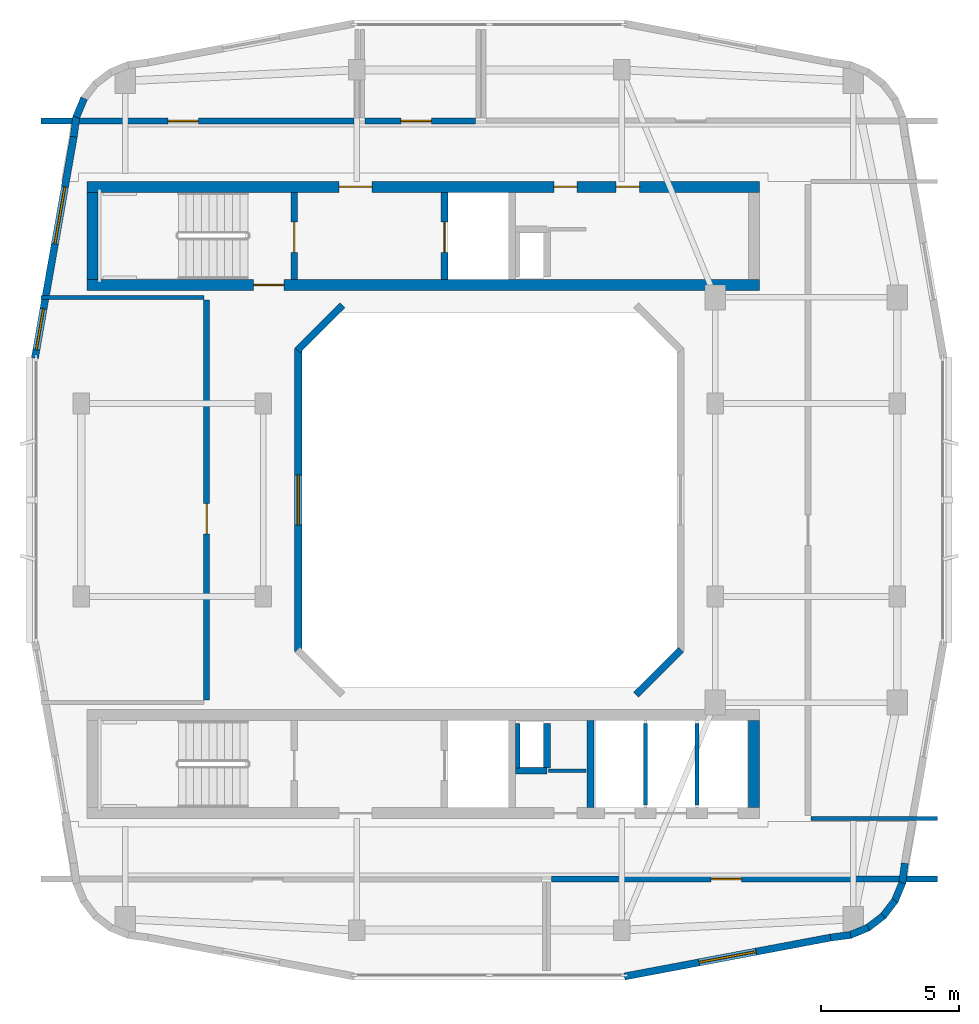
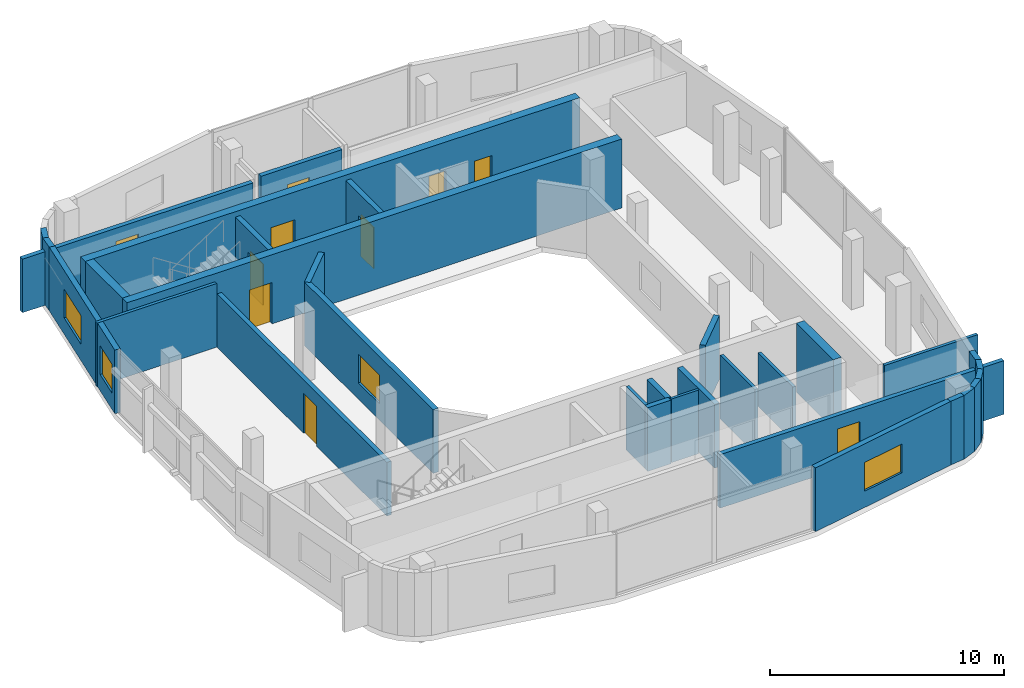
# One storey, part 4 of 8: 32 walls, 10 doors, 4 windows, 14 openings.
"""IFC4 building model written with IfcOpenShell, lengths in metres."""

from ifc_helpers import new_model, si_unit, derived_unit, direction, frame, frame_2d, origin, place, context, subcontext, project, spatial, rectangle, extrude, material, layer, layer_set, type_object, element, fill, save


model = new_model("IFC4")

# Units and contexts
model_context = context("Model", 3, precision=1e-05, world=origin(), true_north=direction((0.0, 1.0)))
body_context = subcontext(model_context, "Body", "Model", "MODEL_VIEW")
ifc_project = project(units=[si_unit("LENGTHUNIT", "METRE"), si_unit("AREAUNIT", "SQUARE_METRE"), si_unit("VOLUMEUNIT", "CUBIC_METRE"), si_unit("PLANEANGLEUNIT", "RADIAN"), si_unit("MASSUNIT", "GRAM", prefix="KILO"), derived_unit("THERMALTRANSMITTANCEUNIT", [(si_unit("POWERUNIT", "WATT"), 1), (si_unit("LENGTHUNIT", "METRE"), -2), (si_unit("THERMODYNAMICTEMPERATUREUNIT", "KELVIN"), -1)])], contexts=[model_context])

# Site, building, storey
site_placement = place(None, origin())
site = spatial("IfcSite", under=ifc_project, at=site_placement, CompositionType="ELEMENT")
building_placement = place(site_placement, origin())
building = spatial("IfcBuilding", under=site, at=building_placement, Name="Kivonza Crest Hotel", CompositionType="ELEMENT")
storey_placement = place(building_placement, frame((0.0, 0.0, 268.39990234375)))
storey = spatial("IfcBuildingStorey", under=building, at=storey_placement, Name="L73", CompositionType="ELEMENT", Elevation=268.39990234375)

# Wall, opening, door
ifc_material_1 = material(Name="Autoclaved aerated concrete blockwork", Category="masonry")
ifc_layer_1 = layer(ifc_material_1, 0.219970703125)
ifc_layer_set_1 = layer_set([ifc_layer_1], Name="Autoclaved aerated concrete blockwork")
wall_type_1 = type_object("IfcWallType", Name="WL-ACOU-220", PredefinedType="SOLIDWALL", material=ifc_layer_set_1)
wall_1_placement = place(storey_placement, frame((10.75, 17.75, 0.0), z_axis=(0.0, 0.0, 1.0), x_axis=(0.0, 1.0, 0.0)))
wall_1 = element("IfcWall", 1, at=wall_1_placement, inside=storey, type_object=wall_type_1, Name="L73 interior partition WA-L73-COCKTL-E", PredefinedType="SOLIDWALL", context=body_context, shape_type="SweptSolid", body=[
    extrude(rectangle(XDim=14.5, YDim=0.219970703125, at=frame_2d((7.25, 0.0))), origin(), (0.0, 0.0, 1.0), 2.795166015625),
])
opening_1_placement = place(wall_1_placement, frame((6.02001953125, 0.0, 0.0)))
opening_1 = element("IfcOpeningElement", 2, at=opening_1_placement, cuts=wall_1, Name="Opening DF-60M", PredefinedType="OPENING", context=body_context, shape_type="SweptSolid", body=[
    extrude(rectangle(XDim=1.10009765625, YDim=2.10009765625, at=frame_2d((0.550048828125, 1.050048828125))), frame((0.0, 0.1201171875, 0.0), z_axis=(0.0, -1.0, 0.0), x_axis=(1.0, 0.0, 0.0)), (0.0, 0.0, 1.0), 0.239990234375),
])
ifc_material_2 = material(Name="Hardwood timber oak", Category="wood")
door_type_1 = type_object("IfcDoorType", Name="DR-FD60-1100", OperationType="NOTDEFINED", PredefinedType="DOOR", material=ifc_material_2)
door_1_placement = place(opening_1_placement, origin())
door_1 = element("IfcDoor", 3, at=door_1_placement, inside=storey, type_object=door_type_1, Name="L73 Crest Cocktail Lounge door", OperationType="SINGLE_SWING_RIGHT", OverallHeight=2.10009765625, OverallWidth=1.10009765625, PredefinedType="DOOR", context=body_context, shape_type="SweptSolid", body=[
    extrude(rectangle(XDim=1.10009765625, YDim=2.10009765625, at=frame_2d((0.550048828125, 1.050048828125))), frame((0.0, 0.02490234375, 0.0), z_axis=(0.0, -1.0, 0.0), x_axis=(1.0, 0.0, 0.0)), (0.0, 0.0, 1.0), 0.050048828125),
])
fill(opening_1, door_1)

wall_2_placement = place(storey_placement, frame((4.739990234375, 38.75, 0.0), z_axis=(0.0, 0.0, 1.0), x_axis=(1.0, 0.0, 0.0)))
wall_2 = element("IfcWall", 4, at=wall_2_placement, inside=storey, type_object=wall_type_1, Name="L73 interior partition WA-L73-EXHIB-S", PredefinedType="SOLIDWALL", context=body_context, shape_type="SweptSolid", body=[
    extrude(rectangle(XDim=11.360107421875, YDim=0.219970703125, at=frame_2d((5.68017578125, 0.0))), origin(), (0.0, 0.0, 1.0), 2.795166015625),
])
opening_2_placement = place(wall_2_placement, frame((4.60693359375, 0.0, 0.0)))
opening_2 = element("IfcOpeningElement", 5, at=opening_2_placement, cuts=wall_2, Name="Opening DF-60M", PredefinedType="OPENING", context=body_context, shape_type="SweptSolid", body=[
    extrude(rectangle(XDim=1.10009765625, YDim=2.10009765625, at=frame_2d((0.550048828125, 1.050048828125))), frame((0.0, 0.1201171875, 0.0), z_axis=(0.0, -1.0, 0.0), x_axis=(1.0, 0.0, 0.0)), (0.0, 0.0, 1.0), 0.239990234375),
])
door_2_placement = place(opening_2_placement, origin())
door_2 = element("IfcDoor", 6, at=door_2_placement, inside=storey, type_object=door_type_1, Name="L73 Upper Hill Skyline Exhibition Hall door", OperationType="SINGLE_SWING_LEFT", OverallHeight=2.10009765625, OverallWidth=1.10009765625, PredefinedType="DOOR", context=body_context, shape_type="SweptSolid", body=[
    extrude(rectangle(XDim=1.10009765625, YDim=2.10009765625, at=frame_2d((0.550048828125, 1.050048828125))), frame((0.0, 0.02490234375, 0.0), z_axis=(0.0, -1.0, 0.0), x_axis=(1.0, 0.0, 0.0)), (0.0, 0.0, 1.0), 0.050048828125),
])
fill(opening_2, door_2)

wall_3_placement = place(storey_placement, frame((16.5, 38.75, 0.0), z_axis=(0.0, 0.0, 1.0), x_axis=(1.0, 0.0, 0.0)))
wall_3 = element("IfcWall", 7, at=wall_3_placement, inside=storey, type_object=wall_type_1, Name="L73 interior partition WA-L73-CRAWC-S", PredefinedType="SOLIDWALL", context=body_context, shape_type="SweptSolid", body=[
    extrude(rectangle(XDim=4.0, YDim=0.219970703125, at=frame_2d((2.0, 0.0))), origin(), (0.0, 0.0, 1.0), 2.9951171875),
])
opening_3_placement = place(wall_3_placement, frame((1.294921875, 0.0, 0.0)))
opening_3 = element("IfcOpeningElement", 8, at=opening_3_placement, cuts=wall_3, Name="Opening DF-60M", PredefinedType="OPENING", context=body_context, shape_type="SweptSolid", body=[
    extrude(rectangle(XDim=1.10009765625, YDim=2.10009765625, at=frame_2d((0.550048828125, 1.050048828125))), frame((0.0, 0.1201171875, 0.0), z_axis=(0.0, -1.0, 0.0), x_axis=(1.0, 0.0, 0.0)), (0.0, 0.0, 1.0), 0.239990234375),
])
door_3_placement = place(opening_3_placement, origin())
door_3 = element("IfcDoor", 9, at=door_3_placement, inside=storey, type_object=door_type_1, Name="L73 L73 Accessible WC door", OperationType="SINGLE_SWING_RIGHT", OverallHeight=2.10009765625, OverallWidth=1.10009765625, PredefinedType="DOOR", context=body_context, shape_type="SweptSolid", body=[
    extrude(rectangle(XDim=1.10009765625, YDim=2.10009765625, at=frame_2d((0.550048828125, 1.050048828125))), frame((0.0, 0.02490234375, 0.0), z_axis=(0.0, -1.0, 0.0), x_axis=(1.0, 0.0, 0.0)), (0.0, 0.0, 1.0), 0.050048828125),
])
fill(opening_3, door_3)

wall_4_placement = place(storey_placement, frame((23.25, 11.25, 0.0), z_axis=(0.0, 0.0, 1.0), x_axis=(1.0, 0.0, 0.0)))
wall_4 = element("IfcWall", 10, at=wall_4_placement, inside=storey, type_object=wall_type_1, Name="L73 interior partition WA-L73-CRPAN-N", PredefinedType="SOLIDWALL", context=body_context, shape_type="SweptSolid", body=[
    extrude(rectangle(XDim=14.010009765625, YDim=0.219970703125, at=frame_2d((7.0048828125, 0.0))), origin(), (0.0, 0.0, 1.0), 2.795166015625),
])
opening_4_placement = place(wall_4_placement, frame((5.800048828125, 0.0, 0.0)))
opening_4 = element("IfcOpeningElement", 11, at=opening_4_placement, cuts=wall_4, Name="Opening DF-60M", PredefinedType="OPENING", context=body_context, shape_type="SweptSolid", body=[
    extrude(rectangle(XDim=1.10009765625, YDim=2.10009765625, at=frame_2d((0.550048828125, 1.050048828125))), frame((0.0, 0.1201171875, 0.0), z_axis=(0.0, -1.0, 0.0), x_axis=(1.0, 0.0, 0.0)), (0.0, 0.0, 1.0), 0.239990234375),
])
door_4_placement = place(opening_4_placement, frame((1.10009765625, 0.0, 0.0), z_axis=(0.0, 0.0, 1.0), x_axis=(-1.0, 0.0, 0.0)))
door_4 = element("IfcDoor", 12, at=door_4_placement, inside=storey, type_object=door_type_1, Name="L73 Observation Beverage Kitchen door", OperationType="SINGLE_SWING_LEFT", OverallHeight=2.10009765625, OverallWidth=1.10009765625, PredefinedType="DOOR", context=body_context, shape_type="SweptSolid", body=[
    extrude(rectangle(XDim=1.10009765625, YDim=2.10009765625, at=frame_2d((0.550048828125, 1.050048828125))), frame((0.0, 0.02490234375, 0.0), z_axis=(0.0, -1.0, 0.0), x_axis=(1.0, 0.0, 0.0)), (0.0, 0.0, 1.0), 0.050048828125),
])
fill(opening_4, door_4)

ifc_material_3 = material(Name="Concrete C50/60", Category="concrete")
ifc_layer_2 = layer(ifc_material_3, 0.39990234375)
ifc_layer_set_2 = layer_set([ifc_layer_2], Name="Concrete C50/60")
wall_type_2 = type_object("IfcWallType", Name="WL-CORE-400", PredefinedType="SHEAR", material=ifc_layer_set_2)
wall_5_placement = place(storey_placement, frame((6.39990234375, 32.800048828125, 0.0), z_axis=(0.0, 0.0, 1.0), x_axis=(1.0, 0.0, 0.0)))
wall_5 = element("IfcWall", 13, at=wall_5_placement, inside=storey, type_object=wall_type_2, Name="Core wall T1-N South L73", PredefinedType="SHEAR", context=body_context, shape_type="SweptSolid", body=[
    extrude(rectangle(XDim=24.400146484375, YDim=0.39990234375, at=frame_2d((12.2001953125, 0.0))), origin(), (0.0, 0.0, 1.0), 3.60009765625),
])
opening_5_placement = place(wall_5_placement, frame((6.050048828125, 0.0, 0.0)))
opening_5 = element("IfcOpeningElement", 14, at=opening_5_placement, cuts=wall_5, Name="Opening DF-120", PredefinedType="OPENING", context=body_context, shape_type="SweptSolid", body=[
    extrude(rectangle(XDim=1.10009765625, YDim=2.14990234375, at=frame_2d((0.550048828125, 1.074951171875))), frame((0.0, 0.2099609375, 0.0), z_axis=(0.0, -1.0, 0.0), x_axis=(1.0, 0.0, 0.0)), (0.0, 0.0, 1.0), 0.419921875),
])
ifc_material_4 = material(Name="Galvanised steel", Category="steel")
door_type_2 = type_object("IfcDoorType", Name="DR-FD120-1100", OperationType="NOTDEFINED", PredefinedType="DOOR", material=ifc_material_4)
door_5_placement = place(opening_5_placement, origin())
door_5 = element("IfcDoor", 15, at=door_5_placement, inside=storey, type_object=door_type_2, Name="L73 Crown west corridor stair fire door", OperationType="SINGLE_SWING_LEFT", OverallHeight=2.14990234375, OverallWidth=1.10009765625, PredefinedType="DOOR", context=body_context, shape_type="SweptSolid", body=[
    extrude(rectangle(XDim=1.10009765625, YDim=2.14990234375, at=frame_2d((0.550048828125, 1.074951171875))), frame((0.0, 0.02490234375, 0.0), z_axis=(0.0, -1.0, 0.0), x_axis=(1.0, 0.0, 0.0)), (0.0, 0.0, 1.0), 0.050048828125),
])
fill(opening_5, door_5)

# Wall, openings, doors
wall_6_placement = place(storey_placement, frame((6.39990234375, 36.360107421875, 0.0), z_axis=(0.0, 0.0, 1.0), x_axis=(1.0, 0.0, 0.0)))
wall_6 = element("IfcWall", 16, at=wall_6_placement, inside=storey, type_object=wall_type_2, Name="Core wall T1-N North L73", PredefinedType="SHEAR", context=body_context, shape_type="SweptSolid", body=[
    extrude(rectangle(XDim=24.400146484375, YDim=0.39990234375, at=frame_2d((12.2001953125, 0.0))), origin(), (0.0, 0.0, 1.0), 3.60009765625),
])
opening_6_placement = place(wall_6_placement, frame((9.14990234375, 0.0, 0.0)))
opening_6 = element("IfcOpeningElement", 17, at=opening_6_placement, cuts=wall_6, Name="Opening DF-60", PredefinedType="OPENING", context=body_context, shape_type="SweptSolid", body=[
    extrude(rectangle(XDim=1.199951171875, YDim=2.14990234375, at=frame_2d((0.60009765625, 1.074951171875))), frame((0.0, 0.2099609375, 0.0), z_axis=(0.0, -1.0, 0.0), x_axis=(1.0, 0.0, 0.0)), (0.0, 0.0, 1.0), 0.419921875),
])
opening_7_placement = place(wall_6_placement, frame((19.199951171875, 0.0, 0.0)))
opening_7 = element("IfcOpeningElement", 18, at=opening_7_placement, cuts=wall_6, Name="Opening DF-60R", PredefinedType="OPENING", context=body_context, shape_type="SweptSolid", body=[
    extrude(rectangle(XDim=0.85009765625, YDim=2.10009765625, at=frame_2d((0.425048828125, 1.050048828125))), frame((0.0, 0.2099609375, 0.0), z_axis=(0.0, -1.0, 0.0), x_axis=(1.0, 0.0, 0.0)), (0.0, 0.0, 1.0), 0.419921875),
])
opening_8_placement = place(wall_6_placement, frame((16.93994140625, 0.0, 0.0)))
opening_8 = element("IfcOpeningElement", 19, at=opening_8_placement, cuts=wall_6, Name="Opening DF-60R", PredefinedType="OPENING", context=body_context, shape_type="SweptSolid", body=[
    extrude(rectangle(XDim=0.85009765625, YDim=2.10009765625, at=frame_2d((0.425048828125, 1.050048828125))), frame((0.0, 0.2099609375, 0.0), z_axis=(0.0, -1.0, 0.0), x_axis=(1.0, 0.0, 0.0)), (0.0, 0.0, 1.0), 0.419921875),
])
door_type_3 = type_object("IfcDoorType", Name="DR-FD60-1200", OperationType="NOTDEFINED", PredefinedType="DOOR", material=ifc_material_2)
door_6_placement = place(opening_6_placement, origin())
door_6 = element("IfcDoor", 20, at=door_6_placement, inside=storey, type_object=door_type_3, Name="L73 T1-N firefighting lobby fire door", OperationType="SINGLE_SWING_RIGHT", OverallHeight=2.14990234375, OverallWidth=1.199951171875, PredefinedType="DOOR", context=body_context, shape_type="SweptSolid", body=[
    extrude(rectangle(XDim=1.199951171875, YDim=2.14990234375, at=frame_2d((0.60009765625, 1.074951171875))), frame((0.0, 0.02490234375, 0.0), z_axis=(0.0, -1.0, 0.0), x_axis=(1.0, 0.0, 0.0)), (0.0, 0.0, 1.0), 0.050048828125),
])
fill(opening_6, door_6)
door_type_4 = type_object("IfcDoorType", Name="DR-FD60-850", OperationType="NOTDEFINED", PredefinedType="DOOR", material=ifc_material_2)
door_7_placement = place(opening_7_placement, origin())
door_7 = element("IfcDoor", 21, at=door_7_placement, inside=storey, type_object=door_type_4, Name="L73 T1-N reclaimed core service door", OperationType="SINGLE_SWING_LEFT", OverallHeight=2.10009765625, OverallWidth=0.85009765625, PredefinedType="DOOR", context=body_context, shape_type="SweptSolid", body=[
    extrude(rectangle(XDim=0.85009765625, YDim=2.10009765625, at=frame_2d((0.425048828125, 1.050048828125))), frame((0.0, 0.02490234375, 0.0), z_axis=(0.0, -1.0, 0.0), x_axis=(1.0, 0.0, 0.0)), (0.0, 0.0, 1.0), 0.050048828125),
])
fill(opening_7, door_7)
door_8_placement = place(opening_8_placement, origin())
door_8 = element("IfcDoor", 22, at=door_8_placement, inside=storey, type_object=door_type_4, Name="L73 T1-N core room door", OperationType="SINGLE_SWING_RIGHT", OverallHeight=2.10009765625, OverallWidth=0.85009765625, PredefinedType="DOOR", context=body_context, shape_type="SweptSolid", body=[
    extrude(rectangle(XDim=0.85009765625, YDim=2.10009765625, at=frame_2d((0.425048828125, 1.050048828125))), frame((0.0, 0.02490234375, 0.0), z_axis=(0.0, -1.0, 0.0), x_axis=(1.0, 0.0, 0.0)), (0.0, 0.0, 1.0), 0.050048828125),
])
fill(opening_8, door_8)

# Walls
for number, where, z_axis, x_axis, name in (
    (23, (6.60009765625, 33.0, 0.0), (0.0, 0.0, 1.0), (0.0, 1.0, 0.0), "Core wall T1-N West L73"),
    (24, (30.60009765625, 13.840087890625, 0.0), (0.0, 0.0, 1.0), (0.0, 1.0, 0.0), "Core wall T1-S East L73"),
):
    element("IfcWall", number, at=place(storey_placement, frame(where, z_axis=z_axis, x_axis=x_axis)), inside=storey, type_object=wall_type_2, Name=name, PredefinedType="SHEAR", context=body_context, shape_type="SweptSolid", body=[
        extrude(rectangle(XDim=3.159912109375, YDim=0.39990234375, at=frame_2d((1.580078125, 0.0))), origin(), (0.0, 0.0, 1.0), 3.60009765625),
    ])

# Wall, opening, window
ifc_material_5 = material(Name="Precast concrete C40/50", Category="concrete")
ifc_layer_3 = layer(ifc_material_5, 0.260009765625)
ifc_layer_set_3 = layer_set([ifc_layer_3], Name="Precast concrete C40/50")
wall_type_3 = type_object("IfcWallType", Name="WL-EXT-260", PredefinedType="STANDARD", material=ifc_layer_set_3)
wall_7_placement = place(storey_placement, frame((25.902099609375, 7.718017578125, 0.0), z_axis=(0.0, 0.0, 1.0), x_axis=(0.982680718126, 0.185306789468, 0.0)))
wall_7 = element("IfcWall", 25, at=wall_7_placement, inside=storey, type_object=wall_type_3, Name="L73 T1 exterior insulated wall 9", PredefinedType="STANDARD", context=body_context, shape_type="SweptSolid", body=[
    extrude(rectangle(XDim=7.61376953125, YDim=0.260009765625, at=frame_2d((3.806884765625, 0.0))), origin(), (0.0, 0.0, 1.0), 3.320068359375),
])
opening_9_placement = place(wall_7_placement, frame((2.757080078125, 0.0, 0.85009765625)))
opening_9 = element("IfcOpeningElement", 26, at=opening_9_placement, cuts=wall_7, Name="Opening WN-04", PredefinedType="OPENING", context=body_context, shape_type="SweptSolid", body=[
    extrude(rectangle(XDim=2.10009765625, YDim=1.5, at=frame_2d((1.050048828125, 0.75))), frame((0.0, 0.14013671875, 0.0), z_axis=(0.0, -1.0, 0.0), x_axis=(1.0, 0.0, 0.0)), (0.0, 0.0, 1.0), 0.280029296875),
])
ifc_material_6 = material(Name="Thermally broken bronze aluminium and low-E double glazing", Category="aluminium")
window_type_1 = type_object("IfcWindowType", Name="WN-210x150", PartitioningType="DOUBLE_PANEL_VERTICAL", PredefinedType="WINDOW", material=ifc_material_6)
window_1_placement = place(opening_9_placement, origin())
window_1 = element("IfcWindow", 27, at=window_1_placement, inside=storey, type_object=window_type_1, Name="L73 T1 facade window 9", OverallHeight=1.5, OverallWidth=2.10009765625, PartitioningType="SINGLE_PANEL", PredefinedType="WINDOW", context=body_context, shape_type="SweptSolid", body=[
    extrude(rectangle(XDim=2.10009765625, YDim=1.5, at=frame_2d((1.050048828125, 0.75))), frame((0.0, 0.030029296875, 0.0), z_axis=(0.0, -1.0, 0.0), x_axis=(1.0, 0.0, 0.0)), (0.0, 0.0, 1.0), 0.06005859375),
])
fill(opening_9, window_1)

# Walls
wall_8_placement = place(storey_placement, frame((33.375, 9.1279296875, 0.0), z_axis=(0.0, 0.0, 1.0), x_axis=(0.991480488834, 0.130255288807, 0.0)))
element("IfcWall", 28, at=wall_8_placement, inside=storey, type_object=wall_type_3, Name="L73 T1 exterior insulated wall 10", PredefinedType="STANDARD", context=body_context, shape_type="SweptSolid", body=[
    extrude(rectangle(XDim=0.72900390625, YDim=0.260009765625, at=frame_2d((0.364501953125, 0.0))), origin(), (0.0, 0.0, 1.0), 3.320068359375),
])
wall_9_placement = place(storey_placement, frame((34.052001953125, 9.205078125, 0.0), z_axis=(0.0, 0.0, 1.0), x_axis=(0.923637576129, 0.383267045233, 0.0)))
element("IfcWall", 29, at=wall_9_placement, inside=storey, type_object=wall_type_3, Name="L73 T1 exterior insulated wall 11", PredefinedType="STANDARD", context=body_context, shape_type="SweptSolid", body=[
    extrude(rectangle(XDim=0.745849609375, YDim=0.260009765625, at=frame_2d((0.373046875, 0.0))), origin(), (0.0, 0.0, 1.0), 3.320068359375),
])
for number, where, z_axis, x_axis, name in (
    (30, (34.700927734375, 9.462890625, 0.0), (0.0, 0.0, 1.0), (0.793474681772, 0.608603261071, 0.0), "L73 T1 exterior insulated wall 12"),
    (31, (35.261962890625, 9.87890625, 0.0), (0.0, 0.0, 1.0), (0.608603261071, 0.793474681772, 0.0), "L73 T1 exterior insulated wall 13"),
):
    element("IfcWall", number, at=place(storey_placement, frame(where, z_axis=z_axis, x_axis=x_axis)), inside=storey, type_object=wall_type_3, Name=name, PredefinedType="STANDARD", context=body_context, shape_type="SweptSolid", body=[
        extrude(rectangle(XDim=0.74609375, YDim=0.260009765625, at=frame_2d((0.373046875, 0.0))), origin(), (0.0, 0.0, 1.0), 3.320068359375),
    ])
wall_10_placement = place(storey_placement, frame((35.695068359375, 10.427001953125, 0.0), z_axis=(0.0, 0.0, 1.0), x_axis=(0.383267045233, 0.923637576129, 0.0)))
element("IfcWall", 32, at=wall_10_placement, inside=storey, type_object=wall_type_3, Name="L73 T1 exterior insulated wall 14", PredefinedType="STANDARD", context=body_context, shape_type="SweptSolid", body=[
    extrude(rectangle(XDim=0.745849609375, YDim=0.260009765625, at=frame_2d((0.373046875, 0.0))), origin(), (0.0, 0.0, 1.0), 3.320068359375),
])
wall_11_placement = place(storey_placement, frame((35.972900390625, 11.06689453125, 0.0), z_axis=(0.0, 0.0, 1.0), x_axis=(0.129653178221, 0.991559404866, 0.0)))
element("IfcWall", 33, at=wall_11_placement, inside=storey, type_object=wall_type_3, Name="L73 T1 exterior insulated wall 15", PredefinedType="STANDARD", context=body_context, shape_type="SweptSolid", body=[
    extrude(rectangle(XDim=0.764404296875, YDim=0.260009765625, at=frame_2d((0.38232421875, 0.0))), origin(), (0.0, 0.0, 1.0), 3.320068359375),
])
wall_12_placement = place(storey_placement, frame((6.304931640625, 39.572998046875, 0.0), z_axis=(0.0, 0.0, 1.0), x_axis=(-0.383267045233, -0.923637576129, 0.0)))
element("IfcWall", 34, at=wall_12_placement, inside=storey, type_object=wall_type_3, Name="L73 T1 exterior insulated wall 32", PredefinedType="STANDARD", context=body_context, shape_type="SweptSolid", body=[
    extrude(rectangle(XDim=0.745849609375, YDim=0.260009765625, at=frame_2d((0.373046875, 0.0))), origin(), (0.0, 0.0, 1.0), 3.320068359375),
])
wall_13_placement = place(storey_placement, frame((6.027099609375, 38.93310546875, 0.0), z_axis=(0.0, 0.0, 1.0), x_axis=(-0.129653178221, -0.991559404866, 0.0)))
element("IfcWall", 35, at=wall_13_placement, inside=storey, type_object=wall_type_3, Name="L73 T1 exterior insulated wall 33", PredefinedType="STANDARD", context=body_context, shape_type="SweptSolid", body=[
    extrude(rectangle(XDim=0.764404296875, YDim=0.260009765625, at=frame_2d((0.38232421875, 0.0))), origin(), (0.0, 0.0, 1.0), 3.320068359375),
])

# Wall, openings, windows
wall_14_placement = place(storey_placement, frame((5.928955078125, 38.18603515625, 0.0), z_axis=(0.0, 0.0, 1.0), x_axis=(-0.172801004781, -0.98495675679, 0.0)))
wall_14 = element("IfcWall", 36, at=wall_14_placement, inside=storey, type_object=wall_type_3, Name="L73 T1 exterior insulated wall 34", PredefinedType="STANDARD", context=body_context, shape_type="SweptSolid", body=[
    extrude(rectangle(XDim=8.164794921875, YDim=0.260009765625, at=frame_2d((4.08251953125, 0.0))), origin(), (0.0, 0.0, 1.0), 3.320068359375),
])
opening_10_placement = place(wall_14_placement, frame((1.85498046875, 0.0, 0.85009765625)))
opening_10 = element("IfcOpeningElement", 37, at=opening_10_placement, cuts=wall_14, Name="Opening WN-04", PredefinedType="OPENING", context=body_context, shape_type="SweptSolid", body=[
    extrude(rectangle(XDim=2.10009765625, YDim=1.5, at=frame_2d((1.050048828125, 0.75))), frame((0.0, 0.14013671875, 0.0), z_axis=(0.0, -1.0, 0.0), x_axis=(1.0, 0.0, 0.0)), (0.0, 0.0, 1.0), 0.280029296875),
])
opening_11_placement = place(wall_14_placement, frame((6.347900390625, 0.0, 0.85009765625)))
opening_11 = element("IfcOpeningElement", 38, at=opening_11_placement, cuts=wall_14, Name="Opening WN-02", PredefinedType="OPENING", context=body_context, shape_type="SweptSolid", body=[
    extrude(rectangle(XDim=1.5, YDim=1.5, at=frame_2d((0.75, 0.75))), frame((0.0, 0.14013671875, 0.0), z_axis=(0.0, -1.0, 0.0), x_axis=(1.0, 0.0, 0.0)), (0.0, 0.0, 1.0), 0.280029296875),
])
window_type_2 = type_object("IfcWindowType", Name="WN-150x150", PartitioningType="DOUBLE_PANEL_VERTICAL", PredefinedType="WINDOW", material=ifc_material_6)
window_2_placement = place(opening_11_placement, origin())
window_2 = element("IfcWindow", 39, at=window_2_placement, inside=storey, type_object=window_type_2, Name="L73 T1 facade window 34 bay 2", OverallHeight=1.5, OverallWidth=1.5, PartitioningType="SINGLE_PANEL", PredefinedType="WINDOW", context=body_context, shape_type="SweptSolid", body=[
    extrude(rectangle(XDim=1.5, YDim=1.5, at=frame_2d((0.75, 0.75))), frame((0.0, 0.030029296875, 0.0), z_axis=(0.0, -1.0, 0.0), x_axis=(1.0, 0.0, 0.0)), (0.0, 0.0, 1.0), 0.06005859375),
])
fill(opening_11, window_2)
window_3_placement = place(opening_10_placement, origin())
window_3 = element("IfcWindow", 40, at=window_3_placement, inside=storey, type_object=window_type_1, Name="L73 T1 facade window 34 bay 1", OverallHeight=1.5, OverallWidth=2.10009765625, PartitioningType="SINGLE_PANEL", PredefinedType="WINDOW", context=body_context, shape_type="SweptSolid", body=[
    extrude(rectangle(XDim=2.10009765625, YDim=1.5, at=frame_2d((1.050048828125, 0.75))), frame((0.0, 0.030029296875, 0.0), z_axis=(0.0, -1.0, 0.0), x_axis=(1.0, 0.0, 0.0)), (0.0, 0.0, 1.0), 0.06005859375),
])
fill(opening_10, window_3)

# Walls
for number, where, z_axis, x_axis, name in (
    (41, (26.322021484375, 17.93798828125, 0.0), (0.0, 0.0, 1.0), (0.707106781187, 0.707106781187, 0.0), "L73 T1 light-well exterior wall 2"),
    (42, (15.677978515625, 32.06201171875, 0.0), (0.0, 0.0, 1.0), (-0.707106781187, -0.707106781187, 0.0), "L73 T1 light-well exterior wall 6"),
):
    element("IfcWall", number, at=place(storey_placement, frame(where, z_axis=z_axis, x_axis=x_axis)), inside=storey, type_object=wall_type_3, Name=name, PredefinedType="STANDARD", context=body_context, shape_type="SweptSolid", body=[
        extrude(rectangle(XDim=2.310791015625, YDim=0.260009765625, at=frame_2d((1.1552734375, 0.0))), origin(), (0.0, 0.0, 1.0), 3.320068359375),
    ])

# Wall, opening, window
wall_15_placement = place(storey_placement, frame((14.070068359375, 30.489990234375, 0.0), z_axis=(0.0, 0.0, 1.0), x_axis=(0.0, -1.0, 0.0)))
wall_15 = element("IfcWall", 43, at=wall_15_placement, inside=storey, type_object=wall_type_3, Name="L73 T1 light-well exterior wall 7", PredefinedType="STANDARD", context=body_context, shape_type="SweptSolid", body=[
    extrude(rectangle(XDim=10.97998046875, YDim=0.260009765625, at=frame_2d((5.489990234375, 0.0))), origin(), (0.0, 0.0, 1.0), 3.320068359375),
])
opening_12_placement = place(wall_15_placement, frame((4.590087890625, 0.0, 0.85009765625)))
opening_12 = element("IfcOpeningElement", 44, at=opening_12_placement, cuts=wall_15, Name="Opening WN-03", PredefinedType="OPENING", context=body_context, shape_type="SweptSolid", body=[
    extrude(rectangle(XDim=1.800048828125, YDim=1.5, at=frame_2d((0.89990234375, 0.75))), frame((0.0, 0.14013671875, 0.0), z_axis=(0.0, -1.0, 0.0), x_axis=(1.0, 0.0, 0.0)), (0.0, 0.0, 1.0), 0.280029296875),
])
window_type_3 = type_object("IfcWindowType", Name="WN-180x150", PartitioningType="DOUBLE_PANEL_VERTICAL", PredefinedType="WINDOW", material=ifc_material_6)
window_4_placement = place(opening_12_placement, origin())
window_4 = element("IfcWindow", 45, at=window_4_placement, inside=storey, type_object=window_type_3, Name="L73 T1 light-well window 7", OverallHeight=1.5, OverallWidth=1.800048828125, PartitioningType="SINGLE_PANEL", PredefinedType="WINDOW", context=body_context, shape_type="SweptSolid", body=[
    extrude(rectangle(XDim=1.800048828125, YDim=1.5, at=frame_2d((0.89990234375, 0.75))), frame((0.0, 0.030029296875, 0.0), z_axis=(0.0, -1.0, 0.0), x_axis=(1.0, 0.0, 0.0)), (0.0, 0.0, 1.0), 0.06005859375),
])
fill(opening_12, window_4)

# Walls
ifc_material_7 = material(Name="Concrete blockwork fire-compartment wall", Category="masonry")
ifc_layer_4 = layer(ifc_material_7, 0.25)
ifc_layer_set_4 = layer_set([ifc_layer_4], Name="Concrete blockwork fire-compartment wall")
wall_type_4 = type_object("IfcWallType", Name="WL-FIRE-250", PredefinedType="SOLIDWALL", material=ifc_layer_set_4)
wall_16_placement = place(storey_placement, frame((23.10009765625, 15.280029296875, 0.0), z_axis=(0.0, 0.0, 1.0), x_axis=(0.0, 1.0, 0.0)))
element("IfcWall", 46, at=wall_16_placement, inside=storey, type_object=wall_type_4, Name="L73 interior partition WA-L73-T1-S-MEPR-E", PredefinedType="SOLIDWALL", context=body_context, shape_type="SweptSolid", body=[
    extrude(rectangle(XDim=1.619873046875, YDim=0.25, at=frame_2d((0.81005859375, 0.0))), origin(), (0.0, 0.0, 1.0), 3.320068359375),
])
wall_17_placement = place(storey_placement, frame((21.949951171875, 15.179931640625, 0.0), z_axis=(0.0, 0.0, 1.0), x_axis=(1.0, 0.0, 0.0)))
element("IfcWall", 47, at=wall_17_placement, inside=storey, type_object=wall_type_4, Name="L73 interior partition WA-L73-T1-S-MEPR-H", PredefinedType="SOLIDWALL", context=body_context, shape_type="SweptSolid", body=[
    extrude(rectangle(XDim=1.150146484375, YDim=0.25, at=frame_2d((0.5751953125, 0.0))), origin(), (0.0, 0.0, 1.0), 3.320068359375),
])
ifc_material_8 = material(Name="Metal-stud gypsum board partition", Category="gypsum")
ifc_layer_5 = layer(ifc_material_8, 0.125)
ifc_layer_set_5 = layer_set([ifc_layer_5], Name="Metal-stud gypsum board partition")
wall_type_5 = type_object("IfcWallType", Name="WL-PART-125", PredefinedType="PARTITIONING", material=ifc_layer_set_5)
wall_18_placement = place(storey_placement, frame((23.14990234375, 15.179931640625, 0.0), z_axis=(0.0, 0.0, 1.0), x_axis=(1.0, 0.0, 0.0)))
element("IfcWall", 48, at=wall_18_placement, inside=storey, type_object=wall_type_5, Name="L73 interior partition WP-L73-T1-S-SV2H", PredefinedType="PARTITIONING", context=body_context, shape_type="SweptSolid", body=[
    extrude(rectangle(XDim=1.35009765625, YDim=0.125, at=frame_2d((0.675048828125, 0.0))), origin(), (0.0, 0.0, 1.0), 3.320068359375),
])
ifc_material_9 = material(Name="Twin-stud acoustic gypsum board partition", Category="gypsum")
ifc_layer_6 = layer(ifc_material_9, 0.14990234375)
ifc_layer_set_6 = layer_set([ifc_layer_6], Name="Twin-stud acoustic gypsum board partition")
wall_type_6 = type_object("IfcWallType", Name="WL-PART-150", PredefinedType="PARTITIONING", material=ifc_layer_set_6)
wall_19_placement = place(storey_placement, frame((22.030029296875, 15.280029296875, 0.0), z_axis=(0.0, 0.0, 1.0), x_axis=(0.0, 1.0, 0.0)))
element("IfcWall", 49, at=wall_19_placement, inside=storey, type_object=wall_type_6, Name="L73 interior partition WA-L73-T1-S-MEPR-W", PredefinedType="PARTITIONING", context=body_context, shape_type="SweptSolid", body=[
    extrude(rectangle(XDim=1.619873046875, YDim=0.14990234375, at=frame_2d((0.81005859375, 0.0))), origin(), (0.0, 0.0, 1.0), 3.320068359375),
])
wall_20_placement = place(storey_placement, frame((26.6669921875, 13.93994140625, 0.0), z_axis=(0.0, 0.0, 1.0), x_axis=(0.0, 1.0, 0.0)))
element("IfcWall", 50, at=wall_20_placement, inside=storey, type_object=wall_type_6, Name="L73 interior partition WP-L73-T1-S-BSH-1", PredefinedType="PARTITIONING", context=body_context, shape_type="SweptSolid", body=[
    extrude(rectangle(XDim=2.9599609375, YDim=0.14990234375, at=frame_2d((1.47998046875, 0.0))), origin(), (0.0, 0.0, 1.0), 3.320068359375),
])
wall_21_placement = place(storey_placement, frame((28.532958984375, 13.93994140625, 0.0), z_axis=(0.0, 0.0, 1.0), x_axis=(0.0, 1.0, 0.0)))
element("IfcWall", 51, at=wall_21_placement, inside=storey, type_object=wall_type_6, Name="L73 interior partition WP-L73-T1-S-BSH-2", PredefinedType="PARTITIONING", context=body_context, shape_type="SweptSolid", body=[
    extrude(rectangle(XDim=2.9599609375, YDim=0.14990234375, at=frame_2d((1.47998046875, 0.0))), origin(), (0.0, 0.0, 1.0), 2.795166015625),
])
wall_22_placement = place(storey_placement, frame((32.659912109375, 13.449951171875, 0.0), z_axis=(0.0, 0.0, 1.0), x_axis=(1.0, 0.0, 0.0)))
element("IfcWall", 52, at=wall_22_placement, inside=storey, type_object=wall_type_6, Name="L73 interior partition WP-L73-OBSGAL-BS", PredefinedType="PARTITIONING", context=body_context, shape_type="SweptSolid", body=[
    extrude(rectangle(XDim=4.60009765625, YDim=0.14990234375, at=frame_2d((2.300048828125, 0.0))), origin(), (0.0, 0.0, 1.0), 2.795166015625),
])
wall_23_placement = place(storey_placement, frame((4.739990234375, 32.35009765625, 0.0), z_axis=(0.0, 0.0, 1.0), x_axis=(1.0, 0.0, 0.0)))
element("IfcWall", 53, at=wall_23_placement, inside=storey, type_object=wall_type_6, Name="L73 interior partition WP-L73-COCKTL-BN", PredefinedType="PARTITIONING", context=body_context, shape_type="SweptSolid", body=[
    extrude(rectangle(XDim=5.909912109375, YDim=0.14990234375, at=frame_2d((2.955078125, 0.0))), origin(), (0.0, 0.0, 1.0), 3.320068359375),
])

# Wall, opening, door
ifc_layer_7 = layer(ifc_material_3, 0.25)
ifc_layer_set_7 = layer_set([ifc_layer_7], Name="Concrete C50/60")
wall_type_7 = type_object("IfcWallType", Name="WL-SHAFT-250", PredefinedType="STANDARD", material=ifc_layer_set_7)
wall_24_placement = place(storey_placement, frame((13.925048828125, 33.0, 0.0), z_axis=(0.0, 0.0, 1.0), x_axis=(0.0, 1.0, 0.0)))
wall_24 = element("IfcWall", 54, at=wall_24_placement, inside=storey, type_object=wall_type_7, Name="Core shaft wall T1-N STAIR L73", PredefinedType="STANDARD", context=body_context, shape_type="SweptSolid", body=[
    extrude(rectangle(XDim=3.159912109375, YDim=0.25, at=frame_2d((1.580078125, 0.0))), origin(), (0.0, 0.0, 1.0), 3.320068359375),
])
opening_13_placement = place(wall_24_placement, frame((0.97998046875, 0.0, 0.0)))
opening_13 = element("IfcOpeningElement", 55, at=opening_13_placement, cuts=wall_24, Name="Opening DF-120", PredefinedType="OPENING", context=body_context, shape_type="SweptSolid", body=[
    extrude(rectangle(XDim=1.10009765625, YDim=2.14990234375, at=frame_2d((0.550048828125, 1.074951171875))), frame((0.0, 0.135009765625, 0.0), z_axis=(0.0, -1.0, 0.0), x_axis=(1.0, 0.0, 0.0)), (0.0, 0.0, 1.0), 0.27001953125),
])
door_9_placement = place(opening_13_placement, frame((1.10009765625, 0.0, 0.0), z_axis=(0.0, 0.0, 1.0), x_axis=(-1.0, 0.0, 0.0)))
door_9 = element("IfcDoor", 56, at=door_9_placement, inside=storey, type_object=door_type_2, Name="L73 T1-N stair fire door", OperationType="SINGLE_SWING_LEFT", OverallHeight=2.14990234375, OverallWidth=1.10009765625, PredefinedType="DOOR", context=body_context, shape_type="SweptSolid", body=[
    extrude(rectangle(XDim=1.10009765625, YDim=2.14990234375, at=frame_2d((0.550048828125, 1.074951171875))), frame((0.0, 0.02490234375, 0.0), z_axis=(0.0, -1.0, 0.0), x_axis=(1.0, 0.0, 0.0)), (0.0, 0.0, 1.0), 0.050048828125),
])
fill(opening_13, door_9)

wall_25_placement = place(storey_placement, frame((19.375, 33.0, 0.0), z_axis=(0.0, 0.0, 1.0), x_axis=(0.0, 1.0, 0.0)))
wall_25 = element("IfcWall", 57, at=wall_25_placement, inside=storey, type_object=wall_type_7, Name="Core shaft wall T1-N FFL-W L73", PredefinedType="STANDARD", context=body_context, shape_type="SweptSolid", body=[
    extrude(rectangle(XDim=3.159912109375, YDim=0.25, at=frame_2d((1.580078125, 0.0))), origin(), (0.0, 0.0, 1.0), 3.320068359375),
])
opening_14_placement = place(wall_25_placement, frame((0.97998046875, 0.0, 0.0)))
opening_14 = element("IfcOpeningElement", 58, at=opening_14_placement, cuts=wall_25, Name="Opening LD-120", PredefinedType="OPENING", context=body_context, shape_type="SweptSolid", body=[
    extrude(rectangle(XDim=1.10009765625, YDim=2.14990234375, at=frame_2d((0.550048828125, 1.074951171875))), frame((0.0, 0.135009765625, 0.0), z_axis=(0.0, -1.0, 0.0), x_axis=(1.0, 0.0, 0.0)), (0.0, 0.0, 1.0), 0.27001953125),
])
ifc_material_10 = material(Name="Stainless steel", Category="steel")
door_type_5 = type_object("IfcDoorType", Name="DR-LD120-1100", OperationType="NOTDEFINED", PredefinedType="DOOR", material=ifc_material_10)
door_10_placement = place(opening_14_placement, origin())
door_10 = element("IfcDoor", 59, at=door_10_placement, inside=storey, type_object=door_type_5, Name="L73 FFL-T1-N firefighting lift sliding landing door", OperationType="DOUBLE_DOOR_SLIDING", OverallHeight=2.14990234375, OverallWidth=1.10009765625, PredefinedType="DOOR", context=body_context, shape_type="SweptSolid", body=[
    extrude(rectangle(XDim=1.10009765625, YDim=2.14990234375, at=frame_2d((0.550048828125, 1.074951171875))), frame((0.0, 0.02490234375, 0.0), z_axis=(0.0, -1.0, 0.0), x_axis=(1.0, 0.0, 0.0)), (0.0, 0.0, 1.0), 0.050048828125),
])
fill(opening_14, door_10)

# Wall
wall_26_placement = place(storey_placement, frame((24.675048828125, 13.840087890625, 0.0), z_axis=(0.0, 0.0, 1.0), x_axis=(0.0, 1.0, 0.0)))
element("IfcWall", 60, at=wall_26_placement, inside=storey, type_object=wall_type_7, Name="Core shaft wall T1-S BANK-W L73", PredefinedType="STANDARD", context=body_context, shape_type="SweptSolid", body=[
    extrude(rectangle(XDim=3.159912109375, YDim=0.25, at=frame_2d((1.580078125, 0.0))), origin(), (0.0, 0.0, 1.0), 3.320068359375),
])

save(model, "model.ifc")
